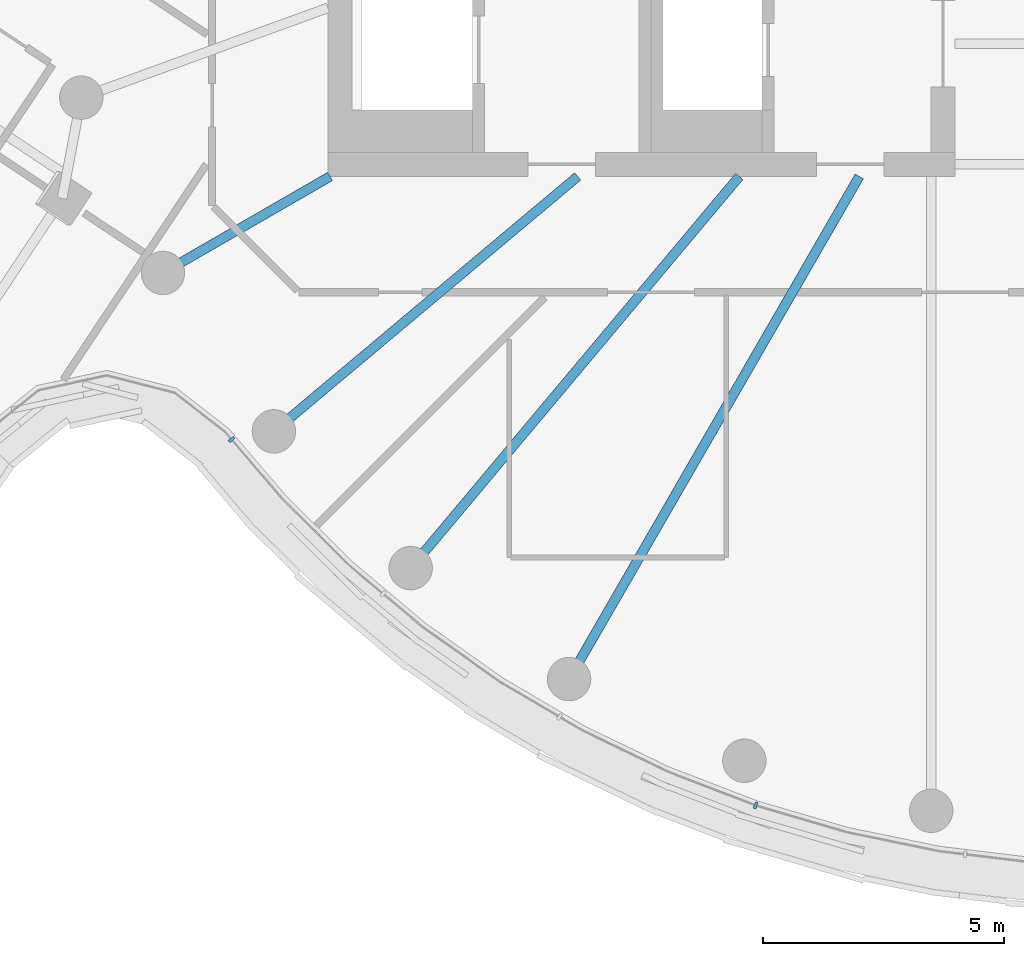
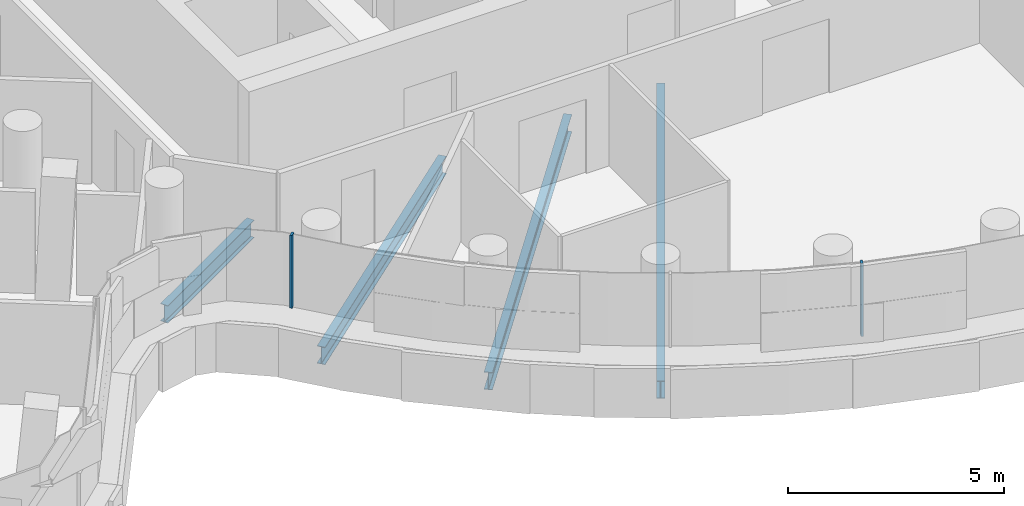
# One storey, part 3 of 27: 4 beams, 2 members, 1 element without a shape of its own.
"""IFC4 building model written with IfcOpenShell, lengths in metres."""

from ifc_helpers import new_model, si_unit, direction, frame, origin, origin_2d, place, context, subcontext, project, spatial, rectangle, i_section, extrude, material, layer, layer_set, material_profile, profile_set, type_object, element, aggregate, save


model = new_model("IFC4")

# Units and contexts
model_context = context("Model", 3, precision=1e-05, world=origin(), true_north=direction((0.0, 1.0)))
body_context = subcontext(model_context, "Body", "Model", "MODEL_VIEW")
ifc_project = project(units=[si_unit("LENGTHUNIT", "METRE"), si_unit("AREAUNIT", "SQUARE_METRE"), si_unit("VOLUMEUNIT", "CUBIC_METRE"), si_unit("PLANEANGLEUNIT", "RADIAN"), si_unit("MASSUNIT", "GRAM", prefix="KILO")], contexts=[model_context])

# Site, building, storey
site_placement = place(None, origin())
site = spatial("IfcSite", under=ifc_project, at=site_placement, CompositionType="ELEMENT")
building_placement = place(site_placement, origin())
building = spatial("IfcBuilding", under=site, at=building_placement, Name="Tamarind Cross Interchange Tower", CompositionType="ELEMENT")
storey_placement = place(building_placement, frame((0.0, 0.0, 237.89990234375)))
storey = spatial("IfcBuildingStorey", under=building, at=storey_placement, Name="L60", CompositionType="ELEMENT", Elevation=237.89990234375)

# Beams
ifc_material_1 = material(Name="Steel Q355B", Category="steel")
ifc_material_profile_1 = material_profile(ifc_material_1, i_section(OverallWidth=0.198974609375, OverallDepth=0.49609375, WebThickness=0.009033203125, FlangeThickness=0.013916015625, FilletRadius=0.012939453125, at=origin_2d()), Name="HN 496x199x9x14")
ifc_profile_set_1 = profile_set([ifc_material_profile_1], Name="Steel Q355B")
beam_type = type_object("IfcBeamType", Name="Composite beam HN 496x199x9x14 Q355B", PredefinedType="BEAM", material=ifc_profile_set_1)
beam_1_placement = place(storey_placement, frame((-19.918701171875, -11.5, -0.387939453125), z_axis=(0.866026010844, 0.49999894854, 0.0), x_axis=(-0.49999894854, 0.866026010844, 0.0)))
element("IfcBeam", 1, at=beam_1_placement, inside=storey, type_object=beam_type, Name="Beam HH21", PredefinedType="BEAM", context=body_context, shape_type="SweptSolid", body=[
    extrude(i_section(OverallWidth=0.198974609375, OverallDepth=0.49609375, WebThickness=0.009033203125, FlangeThickness=0.013916015625, FilletRadius=0.012939453125, at=origin_2d()), origin(), (0.0, 0.0, 1.0), 4.0),
])
beam_2_placement = place(storey_placement, frame((-17.619140625, -14.7841796875, -0.387939453125), z_axis=(0.766040580814, 0.642792212574, 0.0), x_axis=(-0.642792212574, 0.766040580814, 0.0)))
element("IfcBeam", 2, at=beam_2_placement, inside=storey, type_object=beam_type, Name="Beam HH22", PredefinedType="BEAM", context=body_context, shape_type="SweptSolid", body=[
    extrude(i_section(OverallWidth=0.198974609375, OverallDepth=0.49609375, WebThickness=0.009033203125, FlangeThickness=0.013916015625, FilletRadius=0.012939453125, at=origin_2d()), origin(), (0.0, 0.0, 1.0), 8.220703125),
])
beam_3_placement = place(storey_placement, frame((-14.7841796875, -17.619140625, -0.387939453125), z_axis=(0.642786293979, 0.766045547127, 0.0), x_axis=(-0.766045547127, 0.642786293979, 0.0)))
element("IfcBeam", 3, at=beam_3_placement, inside=storey, type_object=beam_type, Name="Beam HH23", PredefinedType="BEAM", context=body_context, shape_type="SweptSolid", body=[
    extrude(i_section(OverallWidth=0.198974609375, OverallDepth=0.49609375, WebThickness=0.009033203125, FlangeThickness=0.013916015625, FilletRadius=0.012939453125, at=origin_2d()), origin(), (0.0, 0.0, 1.0), 10.598876953125),
])
beam_4_placement = place(storey_placement, frame((-11.5, -19.918701171875, -0.387939453125), z_axis=(0.499993565836, 0.866029118519, 0.0), x_axis=(-0.866029118519, 0.499993565836, 0.0)))
element("IfcBeam", 4, at=beam_4_placement, inside=storey, type_object=beam_type, Name="Beam HH24", PredefinedType="BEAM", context=body_context, shape_type="SweptSolid", body=[
    extrude(i_section(OverallWidth=0.198974609375, OverallDepth=0.49609375, WebThickness=0.009033203125, FlangeThickness=0.013916015625, FilletRadius=0.012939453125, at=origin_2d()), origin(), (0.0, 0.0, 1.0), 12.030517578125),
])

# Curtain wall, members
ifc_material_2 = material(Name="Aluminium 6063-T6", Category="aluminium")
ifc_layer = layer(ifc_material_2, 0.139892578125)
ifc_layer_set = layer_set([ifc_layer], Name="Aluminium 6063-T6")
curtain_wall_type = type_object("IfcCurtainWallType", Name="Hotel curtain wall, 4.5 m bays", PredefinedType="NOTDEFINED", material=ifc_layer_set)
curtain_wall_placement = place(storey_placement, origin())
curtain_wall = element("IfcCurtainWall", 5, at=curtain_wall_placement, inside=storey, type_object=curtain_wall_type, Name="CWS-L60-02", PredefinedType="NOTDEFINED")
ifc_material_profile_2 = material_profile(ifc_material_2, rectangle(XDim=0.06005859375, YDim=0.139892578125, at=origin_2d()), Name="Mullion CW2")
ifc_profile_set_2 = profile_set([ifc_material_profile_2], Name="Aluminium 6063-T6")
member_type = type_object("IfcMemberType", Name="Mullion CW2", PredefinedType="MULLION", material=ifc_profile_set_2)
member_1_placement = place(storey_placement, frame((-18.49658203125, -14.953125, 1.400146484375), z_axis=(0.0, 0.0, 1.0), x_axis=(0.649843800551, -0.760067783087, 0.0)))
member_1 = element("IfcMember", 6, at=member_1_placement, type_object=member_type, Name="CWM-L60-02-01", PredefinedType="MULLION", context=body_context, shape_type="SweptSolid", body=[
    extrude(rectangle(XDim=0.06005859375, YDim=0.139892578125, at=origin_2d()), origin(), (0.0, 0.0, 1.0), 2.06005859375),
])
member_2_placement = place(storey_placement, frame((-7.63330078125, -22.5380859375, 1.400146484375), z_axis=(0.0, 0.0, 1.0), x_axis=(0.933146843667, -0.359495435512, 0.0)))
member_2 = element("IfcMember", 7, at=member_2_placement, type_object=member_type, Name="CWM-L60-02-04", PredefinedType="MULLION", context=body_context, shape_type="SweptSolid", body=[
    extrude(rectangle(XDim=0.06005859375, YDim=0.139892578125, at=origin_2d()), origin(), (0.0, 0.0, 1.0), 2.06005859375),
])
aggregate(curtain_wall, [member_1, member_2])

save(model, "model.ifc")
